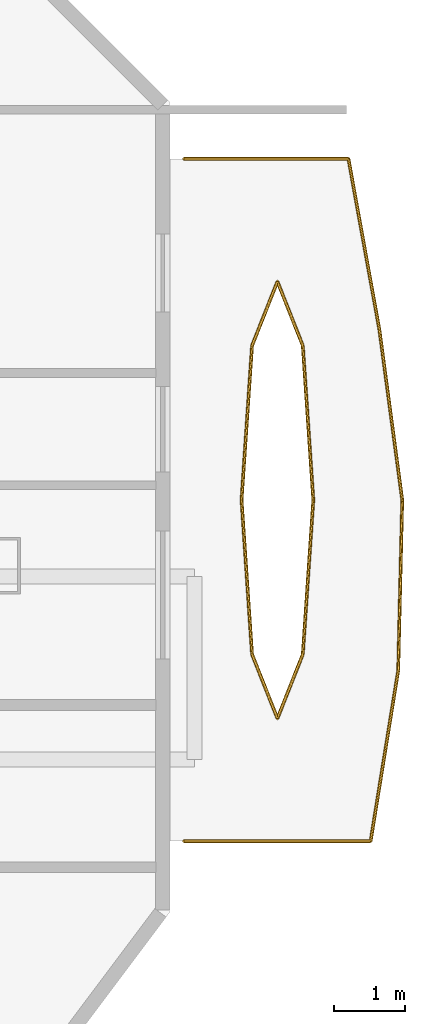
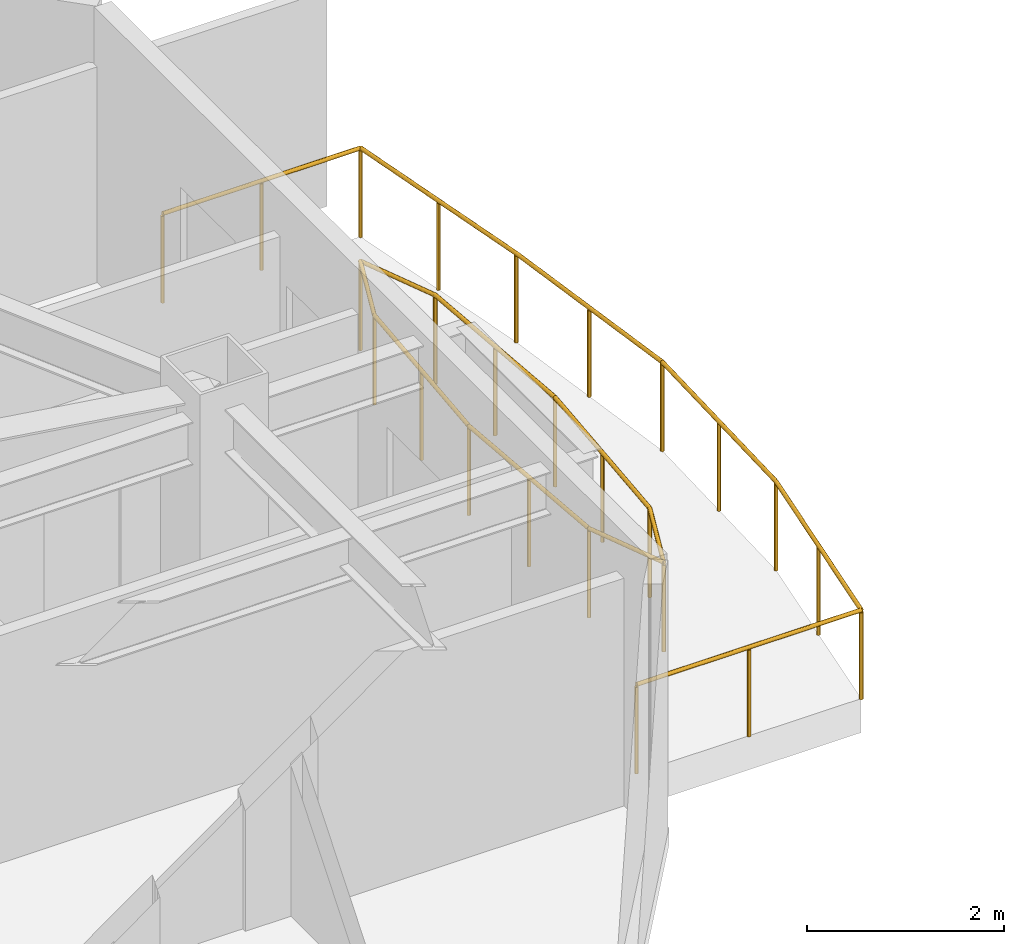
# One storey, part 20 of 20: 4 railings.
"""IFC4 building model written with IfcOpenShell, lengths in metres."""

from ifc_helpers import new_model, si_unit, direction, frame, origin, origin_2d, place, context, subcontext, project, spatial, circle, extrude, material, type_object, element, save


model = new_model("IFC4")

# Units and contexts
model_context = context("Model", 3, precision=1e-05, world=origin(), true_north=direction((0.0, 1.0)))
body_context = subcontext(model_context, "Body", "Model", "MODEL_VIEW")
ifc_project = project(units=[si_unit("LENGTHUNIT", "METRE"), si_unit("AREAUNIT", "SQUARE_METRE"), si_unit("VOLUMEUNIT", "CUBIC_METRE"), si_unit("PLANEANGLEUNIT", "RADIAN"), si_unit("MASSUNIT", "GRAM", prefix="KILO")], contexts=[model_context])

# Site, building, storey
site_placement = place(None, origin())
site = spatial("IfcSite", under=ifc_project, at=site_placement, CompositionType="ELEMENT")
building_placement = place(site_placement, origin())
building = spatial("IfcBuilding", under=site, at=building_placement, Name="Khamvora Tower", CompositionType="ELEMENT")
storey_placement = place(building_placement, frame((0.0, 0.0, 203.35009765625)))
storey = spatial("IfcBuildingStorey", under=building, at=storey_placement, Name="L52", CompositionType="ELEMENT", Elevation=203.35009765625)

# Railings
ifc_material = material(Name="Stainless Steel 316 and Laminated Glass", Category="steel")
railing_type = type_object("IfcRailingType", Name="RAL-GAL-1120", PredefinedType="GUARDRAIL", material=ifc_material)
railing_1_placement = place(storey_placement, frame((63.39990234375, 32.199951171875, 0.0)))
element("IfcRailing", 1, at=railing_1_placement, inside=storey, type_object=railing_type, Name="L52 lens gallery south perimeter guardrail EL2", PredefinedType="GUARDRAIL", context=body_context, shape_type="SweptSolid", body=[
    extrude(circle(Radius=0.02392578125, at=origin_2d()), frame((0.0, 0.0, 1.09619140625), z_axis=(1.0, 0.0, 0.0), x_axis=(0.0, 1.0, 0.0)), (0.0, 0.0, 1.0), 2.627197265625),
    extrude(circle(Radius=0.02392578125, at=origin_2d()), frame((2.627197265625, 0.0, 1.09619140625), z_axis=(0.159560767405, 0.98718810847, 0.0), x_axis=(-0.98718810847, 0.159560767405, 0.0)), (0.0, 0.0, 1.0), 2.431396484375),
    extrude(circle(Radius=0.02392578125, at=origin_2d()), frame((3.01513671875, 2.400146484375, 1.09619140625), z_axis=(0.023696294445, 0.999719203391, 0.0), x_axis=(-0.999719203391, 0.023696294445, 0.0)), (0.0, 0.0, 1.0), 2.400634765625),
    extrude(circle(Radius=0.02099609375, at=origin_2d()), origin(), (0.0, 0.0, 1.0), 1.072021484375),
    extrude(circle(Radius=0.02099609375, at=origin_2d()), frame((1.3134765625, 0.0, 0.0)), (0.0, 0.0, 1.0), 1.072021484375),
    extrude(circle(Radius=0.02099609375, at=origin_2d()), frame((2.627197265625, 0.0, 0.0)), (0.0, 0.0, 1.0), 1.072021484375),
    extrude(circle(Radius=0.02099609375, at=origin_2d()), frame((2.8212890625, 1.2001953125, 0.0)), (0.0, 0.0, 1.0), 1.072021484375),
    extrude(circle(Radius=0.02099609375, at=origin_2d()), frame((3.01513671875, 2.400146484375, 0.0)), (0.0, 0.0, 1.0), 1.072021484375),
    extrude(circle(Radius=0.02099609375, at=origin_2d()), frame((3.04345703125, 3.60009765625, 0.0)), (0.0, 0.0, 1.0), 1.072021484375),
    extrude(circle(Radius=0.02099609375, at=origin_2d()), frame((3.072021484375, 4.800048828125, 0.0)), (0.0, 0.0, 1.0), 1.072021484375),
])
railing_2_placement = place(storey_placement, frame((66.471923828125, 37.0, 0.0)))
element("IfcRailing", 2, at=railing_2_placement, inside=storey, type_object=railing_type, Name="L52 lens gallery north perimeter guardrail EL2", PredefinedType="GUARDRAIL", context=body_context, shape_type="SweptSolid", body=[
    extrude(circle(Radius=0.02392578125, at=origin_2d()), frame((0.0, 0.0, 1.09619140625), z_axis=(-0.132989212903, 0.99111748509, 0.0), x_axis=(-0.99111748509, -0.132989212903, 0.0)), (0.0, 0.0, 1.0), 2.42138671875),
    extrude(circle(Radius=0.02392578125, at=origin_2d()), frame((-0.322021484375, 2.39990234375, 1.09619140625), z_axis=(-0.17826004062, 0.983983413437, 0.0), x_axis=(-0.983983413437, -0.17826004062, 0.0)), (0.0, 0.0, 1.0), 2.439208984375),
    extrude(circle(Radius=0.02392578125, at=origin_2d()), frame((-0.7568359375, 4.800048828125, 1.09619140625), z_axis=(-1.0, 0.0, 0.0), x_axis=(0.0, -1.0, 0.0)), (0.0, 0.0, 1.0), 2.315185546875),
    extrude(circle(Radius=0.02099609375, at=origin_2d()), origin(), (0.0, 0.0, 1.0), 1.072021484375),
    extrude(circle(Radius=0.02099609375, at=origin_2d()), frame((-0.1611328125, 1.199951171875, 0.0)), (0.0, 0.0, 1.0), 1.072021484375),
    extrude(circle(Radius=0.02099609375, at=origin_2d()), frame((-0.322021484375, 2.39990234375, 0.0)), (0.0, 0.0, 1.0), 1.072021484375),
    extrude(circle(Radius=0.02099609375, at=origin_2d()), frame((-0.53955078125, 3.60009765625, 0.0)), (0.0, 0.0, 1.0), 1.072021484375),
    extrude(circle(Radius=0.02099609375, at=origin_2d()), frame((-0.7568359375, 4.800048828125, 0.0)), (0.0, 0.0, 1.0), 1.072021484375),
    extrude(circle(Radius=0.02099609375, at=origin_2d()), frame((-1.91455078125, 4.800048828125, 0.0)), (0.0, 0.0, 1.0), 1.072021484375),
    extrude(circle(Radius=0.02099609375, at=origin_2d()), frame((-3.072021484375, 4.800048828125, 0.0)), (0.0, 0.0, 1.0), 1.072021484375),
])
railing_3_placement = place(storey_placement, frame((65.218994140625, 37.0, 0.0)))
element("IfcRailing", 3, at=railing_3_placement, inside=storey, type_object=railing_type, Name="L52 lens gallery void guardrail EL2A", PredefinedType="GUARDRAIL", context=body_context, shape_type="SweptSolid", body=[
    extrude(circle(Radius=0.02392578125, at=origin_2d()), frame((0.0, 0.0, 1.09619140625), z_axis=(-0.067955394668, 0.997688360329, 0.0), x_axis=(-0.997688360329, -0.067955394668, 0.0)), (0.0, 0.0, 1.0), 2.17724609375),
    extrude(circle(Radius=0.02392578125, at=origin_2d()), frame((-0.14794921875, 2.172119140625, 1.09619140625), z_axis=(-0.367821247872, 0.92989651554, 0.0), x_axis=(-0.92989651554, -0.367821247872, 0.0)), (0.0, 0.0, 1.0), 0.9677734375),
    extrude(circle(Radius=0.02392578125, at=origin_2d()), frame((-0.50390625, 3.072021484375, 1.09619140625), z_axis=(-0.368039364147, -0.929810209902, 0.0), x_axis=(0.929810209902, -0.368039364147, 0.0)), (0.0, 0.0, 1.0), 0.9677734375),
    extrude(circle(Radius=0.02392578125, at=origin_2d()), frame((-0.860107421875, 2.172119140625, 1.09619140625), z_axis=(-0.067955394668, -0.997688360329, 0.0), x_axis=(0.997688360329, -0.067955394668, 0.0)), (0.0, 0.0, 1.0), 2.17724609375),
    extrude(circle(Radius=0.02099609375, at=origin_2d()), origin(), (0.0, 0.0, 1.0), 1.072021484375),
    extrude(circle(Radius=0.02099609375, at=origin_2d()), frame((-0.073974609375, 1.0859375, 0.0)), (0.0, 0.0, 1.0), 1.072021484375),
    extrude(circle(Radius=0.02099609375, at=origin_2d()), frame((-0.14794921875, 2.172119140625, 0.0)), (0.0, 0.0, 1.0), 1.072021484375),
    extrude(circle(Radius=0.02099609375, at=origin_2d()), frame((-0.50390625, 3.072021484375, 0.0)), (0.0, 0.0, 1.0), 1.072021484375),
    extrude(circle(Radius=0.02099609375, at=origin_2d()), frame((-0.860107421875, 2.172119140625, 0.0)), (0.0, 0.0, 1.0), 1.072021484375),
    extrude(circle(Radius=0.02099609375, at=origin_2d()), frame((-0.93408203125, 1.0859375, 0.0)), (0.0, 0.0, 1.0), 1.072021484375),
    extrude(circle(Radius=0.02099609375, at=origin_2d()), frame((-1.008056640625, 0.0, 0.0)), (0.0, 0.0, 1.0), 1.072021484375),
])
railing_4_placement = place(storey_placement, frame((64.2109375, 37.0, 0.0)))
element("IfcRailing", 4, at=railing_4_placement, inside=storey, type_object=railing_type, Name="L52 lens gallery void guardrail EL2B", PredefinedType="GUARDRAIL", context=body_context, shape_type="SweptSolid", body=[
    extrude(circle(Radius=0.02392578125, at=origin_2d()), frame((0.0, 0.0, 1.09619140625), z_axis=(0.067955394668, -0.997688360329, 0.0), x_axis=(0.997688360329, 0.067955394668, 0.0)), (0.0, 0.0, 1.0), 2.17724609375),
    extrude(circle(Radius=0.02392578125, at=origin_2d()), frame((0.14794921875, -2.172119140625, 1.09619140625), z_axis=(0.368039364147, -0.929810209902, 0.0), x_axis=(0.929810209902, 0.368039364147, 0.0)), (0.0, 0.0, 1.0), 0.9677734375),
    extrude(circle(Radius=0.02392578125, at=origin_2d()), frame((0.504150390625, -3.072021484375, 1.09619140625), z_axis=(0.367821247872, 0.92989651554, 0.0), x_axis=(-0.92989651554, 0.367821247872, 0.0)), (0.0, 0.0, 1.0), 0.9677734375),
    extrude(circle(Radius=0.02392578125, at=origin_2d()), frame((0.860107421875, -2.172119140625, 1.09619140625), z_axis=(0.067955394668, 0.997688360329, 0.0), x_axis=(-0.997688360329, 0.067955394668, 0.0)), (0.0, 0.0, 1.0), 2.17724609375),
    extrude(circle(Radius=0.02099609375, at=origin_2d()), origin(), (0.0, 0.0, 1.0), 1.072021484375),
    extrude(circle(Radius=0.02099609375, at=origin_2d()), frame((0.073974609375, -1.0859375, 0.0)), (0.0, 0.0, 1.0), 1.072021484375),
    extrude(circle(Radius=0.02099609375, at=origin_2d()), frame((0.14794921875, -2.172119140625, 0.0)), (0.0, 0.0, 1.0), 1.072021484375),
    extrude(circle(Radius=0.02099609375, at=origin_2d()), frame((0.504150390625, -3.072021484375, 0.0)), (0.0, 0.0, 1.0), 1.072021484375),
    extrude(circle(Radius=0.02099609375, at=origin_2d()), frame((0.860107421875, -2.172119140625, 0.0)), (0.0, 0.0, 1.0), 1.072021484375),
    extrude(circle(Radius=0.02099609375, at=origin_2d()), frame((0.93408203125, -1.0859375, 0.0)), (0.0, 0.0, 1.0), 1.072021484375),
    extrude(circle(Radius=0.02099609375, at=origin_2d()), frame((1.008056640625, 0.0, 0.0)), (0.0, 0.0, 1.0), 1.072021484375),
])

save(model, "model.ifc")
